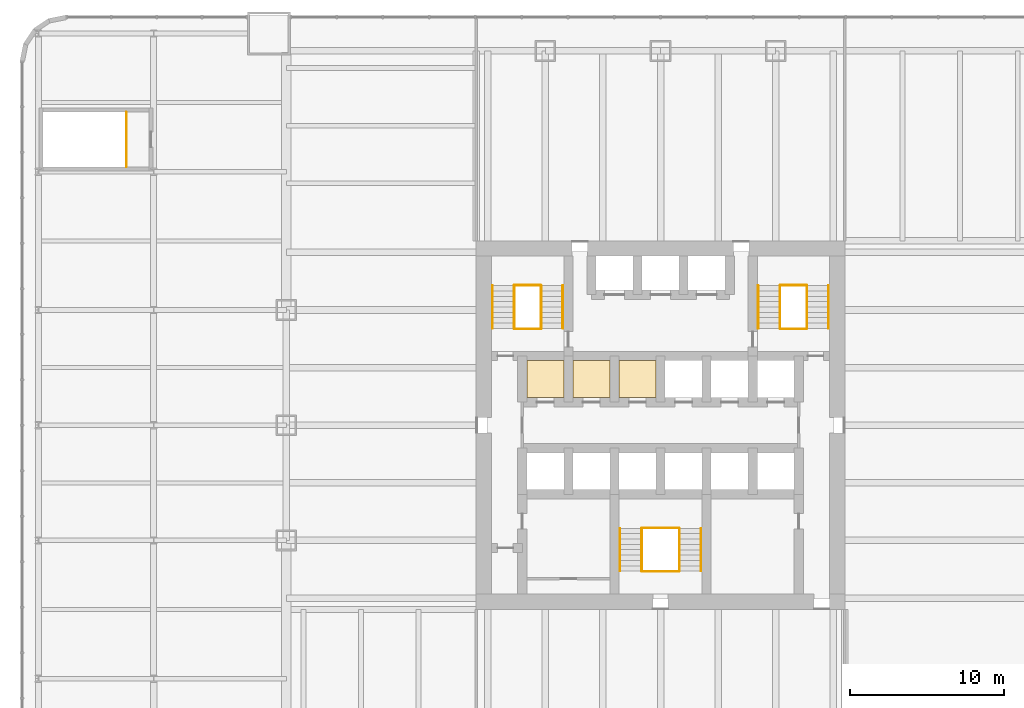
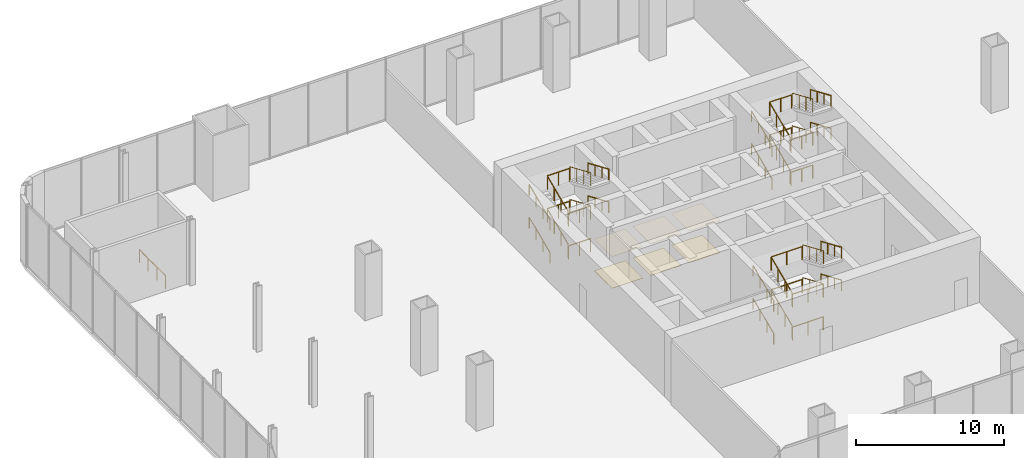
# One storey, part 16 of 17: 37 railings, 6 coverings.
"""IFC4 building model written with IfcOpenShell, lengths in metres."""

from ifc_helpers import new_model, si_unit, direction, frame, origin, origin_2d, place, context, subcontext, project, spatial, polyline, circle, outline, extrude, material, layer, layer_set, type_object, element, save


model = new_model("IFC4")

# Units and contexts
model_context = context("Model", 3, precision=1e-05, world=origin(), true_north=direction((0.0, 1.0)))
body_context = subcontext(model_context, "Body", "Model", "MODEL_VIEW")
ifc_project = project(units=[si_unit("LENGTHUNIT", "METRE"), si_unit("AREAUNIT", "SQUARE_METRE"), si_unit("VOLUMEUNIT", "CUBIC_METRE"), si_unit("PLANEANGLEUNIT", "RADIAN"), si_unit("MASSUNIT", "GRAM", prefix="KILO")], contexts=[model_context])

# Site, building, storey
site_placement = place(None, origin())
site = spatial("IfcSite", under=ifc_project, at=site_placement, CompositionType="ELEMENT")
building_placement = place(site_placement, origin())
building = spatial("IfcBuilding", under=site, at=building_placement, Name="Tarangal Relay Tower", CompositionType="ELEMENT")
storey_placement = place(building_placement, frame((0.0, 0.0, 18.0)))
storey = spatial("IfcBuildingStorey", under=building, at=storey_placement, Name="L03", CompositionType="ELEMENT", Elevation=18.0)

# Coverings
ifc_material_1 = material(Name="Anti-static vinyl flooring", Category="plastic")
ifc_layer_1 = layer(ifc_material_1, 0.010009765625)
ifc_layer_set_1 = layer_set([ifc_layer_1], Name="Anti-static vinyl floor")
covering_type_1 = type_object("IfcCoveringType", Name="Anti-static vinyl floor", PredefinedType="FLOORING", material=ifc_layer_set_1)
covering_1_placement = place(storey_placement, origin())
element("IfcCovering", 1, at=covering_1_placement, inside=storey, type_object=covering_type_1, Name="Floor finish FL1 L03-D1", PredefinedType="FLOORING", context=body_context, shape_type="SweptSolid", body=[
    extrude(outline(polyline([(-8.699951171875, 1.800048828125), (-6.300048828125, 1.800048828125), (-6.300048828125, 4.199951171875), (-8.699951171875, 4.199951171875), (-8.699951171875, 1.800048828125)])), origin(), (0.0, 0.0, 1.0), 0.010009765625),
])
covering_2_placement = place(storey_placement, origin())
element("IfcCovering", 2, at=covering_2_placement, inside=storey, type_object=covering_type_1, Name="Floor finish FL1 L03-D2", PredefinedType="FLOORING", context=body_context, shape_type="SweptSolid", body=[
    extrude(outline(polyline([(-5.699951171875, 1.800048828125), (-3.300048828125, 1.800048828125), (-3.300048828125, 4.199951171875), (-5.699951171875, 4.199951171875), (-5.699951171875, 1.800048828125)])), origin(), (0.0, 0.0, 1.0), 0.010009765625),
])
covering_3_placement = place(storey_placement, origin())
element("IfcCovering", 3, at=covering_3_placement, inside=storey, type_object=covering_type_1, Name="Floor finish FL1 L03-D3", PredefinedType="FLOORING", context=body_context, shape_type="SweptSolid", body=[
    extrude(outline(polyline([(-2.699951171875, 1.800048828125), (-0.300048828125, 1.800048828125), (-0.300048828125, 4.199951171875), (-2.699951171875, 4.199951171875), (-2.699951171875, 1.800048828125)])), origin(), (0.0, 0.0, 1.0), 0.010009765625),
])

# Railings
ifc_material_2 = material(Name="Steel guard, black finish", Category="steel")
railing_type_1 = type_object("IfcRailingType", Name="Stair guard 1100", PredefinedType="GUARDRAIL", material=ifc_material_2)
railing_1_placement = place(storey_placement, frame((-9.530029296875, 6.300048828125, 0.14990234375)))
element("IfcRailing", 4, at=railing_1_placement, inside=storey, type_object=railing_type_1, Name="Stair ST-A guard GR1 L03 flight 1", PredefinedType="GUARDRAIL", context=body_context, shape_type="SweptSolid", body=[
    extrude(circle(Radius=0.02392578125, at=origin_2d()), frame((0.0, 0.0, 1.076171875), z_axis=(0.0, 0.918297334747, 0.395891405561), x_axis=(-1.0, 0.0, 0.0)), (0.0, 0.0, 1.0), 3.03173828125),
    extrude(circle(Radius=0.02099609375, at=origin_2d()), origin(), (0.0, 0.0, 1.0), 1.052001953125),
    extrude(circle(Radius=0.02099609375, at=origin_2d()), frame((0.0, 0.927978515625, 0.400146484375)), (0.0, 0.0, 1.0), 1.052001953125),
    extrude(circle(Radius=0.02099609375, at=origin_2d()), frame((0.0, 1.85595703125, 0.800048828125)), (0.0, 0.0, 1.0), 1.052001953125),
    extrude(circle(Radius=0.02099609375, at=origin_2d()), frame((0.0, 2.783935546875, 1.2001953125)), (0.0, 0.0, 1.0), 1.052001953125),
])
railing_2_placement = place(storey_placement, frame((-7.77001953125, 9.083984375, 1.5)))
element("IfcRailing", 5, at=railing_2_placement, inside=storey, type_object=railing_type_1, Name="Stair ST-A guard GR1 L03 flight 2", PredefinedType="GUARDRAIL", context=body_context, shape_type="SweptSolid", body=[
    extrude(circle(Radius=0.02392578125, at=origin_2d()), frame((0.0, 0.0, 1.076171875), z_axis=(0.0, -0.918326609968, 0.395823492765), x_axis=(1.0, 0.0, 0.0)), (0.0, 0.0, 1.0), 3.031494140625),
    extrude(circle(Radius=0.02099609375, at=origin_2d()), origin(), (0.0, 0.0, 1.0), 1.052001953125),
    extrude(circle(Radius=0.02099609375, at=origin_2d()), frame((0.0, -0.927978515625, 0.39990234375)), (0.0, 0.0, 1.0), 1.052001953125),
    extrude(circle(Radius=0.02099609375, at=origin_2d()), frame((0.0, -1.85595703125, 0.800048828125)), (0.0, 0.0, 1.0), 1.052001953125),
    extrude(circle(Radius=0.02099609375, at=origin_2d()), frame((0.0, -2.783935546875, 1.199951171875)), (0.0, 0.0, 1.0), 1.052001953125),
])
railing_3_placement = place(storey_placement, frame((-9.530029296875, 6.300048828125, 2.85009765625)))
element("IfcRailing", 6, at=railing_3_placement, inside=storey, type_object=railing_type_1, Name="Stair ST-A guard GR1 L03 flight 3", PredefinedType="GUARDRAIL", context=body_context, shape_type="SweptSolid", body=[
    extrude(circle(Radius=0.02392578125, at=origin_2d()), frame((0.0, 0.0, 1.076171875), z_axis=(0.0, 0.918326609968, 0.395823492765), x_axis=(-1.0, 0.0, 0.0)), (0.0, 0.0, 1.0), 3.031494140625),
    extrude(circle(Radius=0.02099609375, at=origin_2d()), origin(), (0.0, 0.0, 1.0), 1.052001953125),
    extrude(circle(Radius=0.02099609375, at=origin_2d()), frame((0.0, 0.927978515625, 0.39990234375)), (0.0, 0.0, 1.0), 1.052001953125),
    extrude(circle(Radius=0.02099609375, at=origin_2d()), frame((0.0, 1.85595703125, 0.800048828125)), (0.0, 0.0, 1.0), 1.052001953125),
    extrude(circle(Radius=0.02099609375, at=origin_2d()), frame((0.0, 2.783935546875, 1.199951171875)), (0.0, 0.0, 1.0), 1.052001953125),
])
railing_4_placement = place(storey_placement, frame((-7.77001953125, 9.083984375, 4.199951171875)))
element("IfcRailing", 7, at=railing_4_placement, inside=storey, type_object=railing_type_1, Name="Stair ST-A guard GR1 L03 flight 4", PredefinedType="GUARDRAIL", context=body_context, shape_type="SweptSolid", body=[
    extrude(circle(Radius=0.02392578125, at=origin_2d()), frame((0.0, 0.0, 1.076171875), z_axis=(0.0, -0.918326609968, 0.395823492765), x_axis=(1.0, 0.0, 0.0)), (0.0, 0.0, 1.0), 3.031494140625),
    extrude(circle(Radius=0.02099609375, at=origin_2d()), origin(), (0.0, 0.0, 1.0), 1.052001953125),
    extrude(circle(Radius=0.02099609375, at=origin_2d()), frame((0.0, -0.927978515625, 0.39990234375)), (0.0, 0.0, 1.0), 1.052001953125),
    extrude(circle(Radius=0.02099609375, at=origin_2d()), frame((0.0, -1.85595703125, 0.800048828125)), (0.0, 0.0, 1.0), 1.052001953125),
    extrude(circle(Radius=0.02099609375, at=origin_2d()), frame((0.0, -2.783935546875, 1.199951171875)), (0.0, 0.0, 1.0), 1.052001953125),
])
for number, where, name in (
    (8, (-9.5, 6.27001953125, 0.0), "Stair ST-A landing guard GR1 L03"),
    (9, (-9.5, 9.114013671875, 1.35009765625), "Stair ST-A landing guard GR1 L03"),
    (10, (-9.5, 6.27001953125, 2.699951171875), "Stair ST-A landing guard GR1 L03"),
    (11, (-9.5, 9.114013671875, 4.050048828125), "Stair ST-A landing guard GR1 L03"),
):
    element("IfcRailing", number, at=place(storey_placement, frame(where)), inside=storey, type_object=railing_type_1, Name=name, PredefinedType="GUARDRAIL", context=body_context, shape_type="SweptSolid", body=[
        extrude(circle(Radius=0.02392578125, at=origin_2d()), frame((0.0, 0.0, 1.076171875), z_axis=(1.0, 0.0, 0.0), x_axis=(0.0, 1.0, 0.0)), (0.0, 0.0, 1.0), 1.699951171875),
        extrude(circle(Radius=0.02099609375, at=origin_2d()), origin(), (0.0, 0.0, 1.0), 1.052001953125),
        extrude(circle(Radius=0.02099609375, at=origin_2d()), frame((0.85009765625, 0.0, 0.0)), (0.0, 0.0, 1.0), 1.052001953125),
        extrude(circle(Radius=0.02099609375, at=origin_2d()), frame((1.699951171875, 0.0, 0.0)), (0.0, 0.0, 1.0), 1.052001953125),
    ])
railing_5_placement = place(storey_placement, frame((7.77001953125, 6.300048828125, 0.14990234375)))
element("IfcRailing", 12, at=railing_5_placement, inside=storey, type_object=railing_type_1, Name="Stair ST-B guard GR1 L03 flight 1", PredefinedType="GUARDRAIL", context=body_context, shape_type="SweptSolid", body=[
    extrude(circle(Radius=0.02392578125, at=origin_2d()), frame((0.0, 0.0, 1.076171875), z_axis=(0.0, 0.918297334747, 0.395891405561), x_axis=(-1.0, 0.0, 0.0)), (0.0, 0.0, 1.0), 3.03173828125),
    extrude(circle(Radius=0.02099609375, at=origin_2d()), origin(), (0.0, 0.0, 1.0), 1.052001953125),
    extrude(circle(Radius=0.02099609375, at=origin_2d()), frame((0.0, 0.927978515625, 0.400146484375)), (0.0, 0.0, 1.0), 1.052001953125),
    extrude(circle(Radius=0.02099609375, at=origin_2d()), frame((0.0, 1.85595703125, 0.800048828125)), (0.0, 0.0, 1.0), 1.052001953125),
    extrude(circle(Radius=0.02099609375, at=origin_2d()), frame((0.0, 2.783935546875, 1.2001953125)), (0.0, 0.0, 1.0), 1.052001953125),
])
railing_6_placement = place(storey_placement, frame((9.530029296875, 9.083984375, 1.5)))
element("IfcRailing", 13, at=railing_6_placement, inside=storey, type_object=railing_type_1, Name="Stair ST-B guard GR1 L03 flight 2", PredefinedType="GUARDRAIL", context=body_context, shape_type="SweptSolid", body=[
    extrude(circle(Radius=0.02392578125, at=origin_2d()), frame((0.0, 0.0, 1.076171875), z_axis=(0.0, -0.918326609968, 0.395823492765), x_axis=(1.0, 0.0, 0.0)), (0.0, 0.0, 1.0), 3.031494140625),
    extrude(circle(Radius=0.02099609375, at=origin_2d()), origin(), (0.0, 0.0, 1.0), 1.052001953125),
    extrude(circle(Radius=0.02099609375, at=origin_2d()), frame((0.0, -0.927978515625, 0.39990234375)), (0.0, 0.0, 1.0), 1.052001953125),
    extrude(circle(Radius=0.02099609375, at=origin_2d()), frame((0.0, -1.85595703125, 0.800048828125)), (0.0, 0.0, 1.0), 1.052001953125),
    extrude(circle(Radius=0.02099609375, at=origin_2d()), frame((0.0, -2.783935546875, 1.199951171875)), (0.0, 0.0, 1.0), 1.052001953125),
])
railing_7_placement = place(storey_placement, frame((7.77001953125, 6.300048828125, 2.85009765625)))
element("IfcRailing", 14, at=railing_7_placement, inside=storey, type_object=railing_type_1, Name="Stair ST-B guard GR1 L03 flight 3", PredefinedType="GUARDRAIL", context=body_context, shape_type="SweptSolid", body=[
    extrude(circle(Radius=0.02392578125, at=origin_2d()), frame((0.0, 0.0, 1.076171875), z_axis=(0.0, 0.918326609968, 0.395823492765), x_axis=(-1.0, 0.0, 0.0)), (0.0, 0.0, 1.0), 3.031494140625),
    extrude(circle(Radius=0.02099609375, at=origin_2d()), origin(), (0.0, 0.0, 1.0), 1.052001953125),
    extrude(circle(Radius=0.02099609375, at=origin_2d()), frame((0.0, 0.927978515625, 0.39990234375)), (0.0, 0.0, 1.0), 1.052001953125),
    extrude(circle(Radius=0.02099609375, at=origin_2d()), frame((0.0, 1.85595703125, 0.800048828125)), (0.0, 0.0, 1.0), 1.052001953125),
    extrude(circle(Radius=0.02099609375, at=origin_2d()), frame((0.0, 2.783935546875, 1.199951171875)), (0.0, 0.0, 1.0), 1.052001953125),
])
railing_8_placement = place(storey_placement, frame((9.530029296875, 9.083984375, 4.199951171875)))
element("IfcRailing", 15, at=railing_8_placement, inside=storey, type_object=railing_type_1, Name="Stair ST-B guard GR1 L03 flight 4", PredefinedType="GUARDRAIL", context=body_context, shape_type="SweptSolid", body=[
    extrude(circle(Radius=0.02392578125, at=origin_2d()), frame((0.0, 0.0, 1.076171875), z_axis=(0.0, -0.918326609968, 0.395823492765), x_axis=(1.0, 0.0, 0.0)), (0.0, 0.0, 1.0), 3.031494140625),
    extrude(circle(Radius=0.02099609375, at=origin_2d()), origin(), (0.0, 0.0, 1.0), 1.052001953125),
    extrude(circle(Radius=0.02099609375, at=origin_2d()), frame((0.0, -0.927978515625, 0.39990234375)), (0.0, 0.0, 1.0), 1.052001953125),
    extrude(circle(Radius=0.02099609375, at=origin_2d()), frame((0.0, -1.85595703125, 0.800048828125)), (0.0, 0.0, 1.0), 1.052001953125),
    extrude(circle(Radius=0.02099609375, at=origin_2d()), frame((0.0, -2.783935546875, 1.199951171875)), (0.0, 0.0, 1.0), 1.052001953125),
])
for number, where, name in (
    (16, (7.800048828125, 6.27001953125, 0.0), "Stair ST-B landing guard GR1 L03"),
    (17, (7.800048828125, 9.114013671875, 1.35009765625), "Stair ST-B landing guard GR1 L03"),
    (18, (7.800048828125, 6.27001953125, 2.699951171875), "Stair ST-B landing guard GR1 L03"),
    (19, (7.800048828125, 9.114013671875, 4.050048828125), "Stair ST-B landing guard GR1 L03"),
):
    element("IfcRailing", number, at=place(storey_placement, frame(where)), inside=storey, type_object=railing_type_1, Name=name, PredefinedType="GUARDRAIL", context=body_context, shape_type="SweptSolid", body=[
        extrude(circle(Radius=0.02392578125, at=origin_2d()), frame((0.0, 0.0, 1.076171875), z_axis=(1.0, 0.0, 0.0), x_axis=(0.0, 1.0, 0.0)), (0.0, 0.0, 1.0), 1.699951171875),
        extrude(circle(Radius=0.02099609375, at=origin_2d()), origin(), (0.0, 0.0, 1.0), 1.052001953125),
        extrude(circle(Radius=0.02099609375, at=origin_2d()), frame((0.85009765625, 0.0, 0.0)), (0.0, 0.0, 1.0), 1.052001953125),
        extrude(circle(Radius=0.02099609375, at=origin_2d()), frame((1.699951171875, 0.0, 0.0)), (0.0, 0.0, 1.0), 1.052001953125),
    ])
railing_9_placement = place(storey_placement, frame((-1.22998046875, -9.5, 0.14990234375)))
element("IfcRailing", 20, at=railing_9_placement, inside=storey, type_object=railing_type_1, Name="Stair ST-C guard GR1 L03 flight 1", PredefinedType="GUARDRAIL", context=body_context, shape_type="SweptSolid", body=[
    extrude(circle(Radius=0.02392578125, at=origin_2d()), frame((0.0, 0.0, 1.076171875), z_axis=(0.0, 0.918297334747, 0.395891405561), x_axis=(-1.0, 0.0, 0.0)), (0.0, 0.0, 1.0), 3.03173828125),
    extrude(circle(Radius=0.02099609375, at=origin_2d()), origin(), (0.0, 0.0, 1.0), 1.052001953125),
    extrude(circle(Radius=0.02099609375, at=origin_2d()), frame((0.0, 0.927978515625, 0.400146484375)), (0.0, 0.0, 1.0), 1.052001953125),
    extrude(circle(Radius=0.02099609375, at=origin_2d()), frame((0.0, 1.85595703125, 0.800048828125)), (0.0, 0.0, 1.0), 1.052001953125),
    extrude(circle(Radius=0.02099609375, at=origin_2d()), frame((0.0, 2.783935546875, 1.2001953125)), (0.0, 0.0, 1.0), 1.052001953125),
])
railing_10_placement = place(storey_placement, frame((1.22998046875, -6.716064453125, 1.5)))
element("IfcRailing", 21, at=railing_10_placement, inside=storey, type_object=railing_type_1, Name="Stair ST-C guard GR1 L03 flight 2", PredefinedType="GUARDRAIL", context=body_context, shape_type="SweptSolid", body=[
    extrude(circle(Radius=0.02392578125, at=origin_2d()), frame((0.0, 0.0, 1.076171875), z_axis=(0.0, -0.918326609968, 0.395823492765), x_axis=(1.0, 0.0, 0.0)), (0.0, 0.0, 1.0), 3.031494140625),
    extrude(circle(Radius=0.02099609375, at=origin_2d()), origin(), (0.0, 0.0, 1.0), 1.052001953125),
    extrude(circle(Radius=0.02099609375, at=origin_2d()), frame((0.0, -0.927978515625, 0.39990234375)), (0.0, 0.0, 1.0), 1.052001953125),
    extrude(circle(Radius=0.02099609375, at=origin_2d()), frame((0.0, -1.85595703125, 0.800048828125)), (0.0, 0.0, 1.0), 1.052001953125),
    extrude(circle(Radius=0.02099609375, at=origin_2d()), frame((0.0, -2.783935546875, 1.199951171875)), (0.0, 0.0, 1.0), 1.052001953125),
])
railing_11_placement = place(storey_placement, frame((-1.22998046875, -9.5, 2.85009765625)))
element("IfcRailing", 22, at=railing_11_placement, inside=storey, type_object=railing_type_1, Name="Stair ST-C guard GR1 L03 flight 3", PredefinedType="GUARDRAIL", context=body_context, shape_type="SweptSolid", body=[
    extrude(circle(Radius=0.02392578125, at=origin_2d()), frame((0.0, 0.0, 1.076171875), z_axis=(0.0, 0.918326609968, 0.395823492765), x_axis=(-1.0, 0.0, 0.0)), (0.0, 0.0, 1.0), 3.031494140625),
    extrude(circle(Radius=0.02099609375, at=origin_2d()), origin(), (0.0, 0.0, 1.0), 1.052001953125),
    extrude(circle(Radius=0.02099609375, at=origin_2d()), frame((0.0, 0.927978515625, 0.39990234375)), (0.0, 0.0, 1.0), 1.052001953125),
    extrude(circle(Radius=0.02099609375, at=origin_2d()), frame((0.0, 1.85595703125, 0.800048828125)), (0.0, 0.0, 1.0), 1.052001953125),
    extrude(circle(Radius=0.02099609375, at=origin_2d()), frame((0.0, 2.783935546875, 1.199951171875)), (0.0, 0.0, 1.0), 1.052001953125),
])
railing_12_placement = place(storey_placement, frame((1.22998046875, -6.716064453125, 4.199951171875)))
element("IfcRailing", 23, at=railing_12_placement, inside=storey, type_object=railing_type_1, Name="Stair ST-C guard GR1 L03 flight 4", PredefinedType="GUARDRAIL", context=body_context, shape_type="SweptSolid", body=[
    extrude(circle(Radius=0.02392578125, at=origin_2d()), frame((0.0, 0.0, 1.076171875), z_axis=(0.0, -0.918326609968, 0.395823492765), x_axis=(1.0, 0.0, 0.0)), (0.0, 0.0, 1.0), 3.031494140625),
    extrude(circle(Radius=0.02099609375, at=origin_2d()), origin(), (0.0, 0.0, 1.0), 1.052001953125),
    extrude(circle(Radius=0.02099609375, at=origin_2d()), frame((0.0, -0.927978515625, 0.39990234375)), (0.0, 0.0, 1.0), 1.052001953125),
    extrude(circle(Radius=0.02099609375, at=origin_2d()), frame((0.0, -1.85595703125, 0.800048828125)), (0.0, 0.0, 1.0), 1.052001953125),
    extrude(circle(Radius=0.02099609375, at=origin_2d()), frame((0.0, -2.783935546875, 1.199951171875)), (0.0, 0.0, 1.0), 1.052001953125),
])
for number, where, name in (
    (24, (-1.199951171875, -9.530029296875, 0.0), "Stair ST-C landing guard GR1 L03"),
    (25, (-1.199951171875, -6.68603515625, 1.35009765625), "Stair ST-C landing guard GR1 L03"),
    (26, (-1.199951171875, -9.530029296875, 2.699951171875), "Stair ST-C landing guard GR1 L03"),
    (27, (-1.199951171875, -6.68603515625, 4.050048828125), "Stair ST-C landing guard GR1 L03"),
):
    element("IfcRailing", number, at=place(storey_placement, frame(where)), inside=storey, type_object=railing_type_1, Name=name, PredefinedType="GUARDRAIL", context=body_context, shape_type="SweptSolid", body=[
        extrude(circle(Radius=0.02392578125, at=origin_2d()), frame((0.0, 0.0, 1.076171875), z_axis=(1.0, 0.0, 0.0), x_axis=(0.0, 1.0, 0.0)), (0.0, 0.0, 1.0), 2.39990234375),
        extrude(circle(Radius=0.02099609375, at=origin_2d()), origin(), (0.0, 0.0, 1.0), 1.052001953125),
        extrude(circle(Radius=0.02099609375, at=origin_2d()), frame((1.199951171875, 0.0, 0.0)), (0.0, 0.0, 1.0), 1.052001953125),
        extrude(circle(Radius=0.02099609375, at=origin_2d()), frame((2.39990234375, 0.0, 0.0)), (0.0, 0.0, 1.0), 1.052001953125),
    ])
railing_13_placement = place(storey_placement, frame((-34.77001953125, 16.830078125, 0.0)))
element("IfcRailing", 28, at=railing_13_placement, inside=storey, type_object=railing_type_1, Name="Stair ST-D top guard GR1 L03", PredefinedType="GUARDRAIL", context=body_context, shape_type="SweptSolid", body=[
    extrude(circle(Radius=0.02392578125, at=origin_2d()), frame((0.0, 0.0, 1.076171875), z_axis=(0.0, 1.0, 0.0), x_axis=(-1.0, 0.0, 0.0)), (0.0, 0.0, 1.0), 3.5400390625),
    extrude(circle(Radius=0.02099609375, at=origin_2d()), origin(), (0.0, 0.0, 1.0), 1.052001953125),
    extrude(circle(Radius=0.02099609375, at=origin_2d()), frame((0.0, 1.179931640625, 0.0)), (0.0, 0.0, 1.0), 1.052001953125),
    extrude(circle(Radius=0.02099609375, at=origin_2d()), frame((0.0, 2.360107421875, 0.0)), (0.0, 0.0, 1.0), 1.052001953125),
    extrude(circle(Radius=0.02099609375, at=origin_2d()), frame((0.0, 3.5400390625, 0.0)), (0.0, 0.0, 1.0), 1.052001953125),
])
ifc_material_3 = material(Name="Steel handrail, black finish", Category="steel")
railing_type_2 = type_object("IfcRailingType", Name="Stair handrail 900", PredefinedType="HANDRAIL", material=ifc_material_3)
railing_14_placement = place(storey_placement, frame((-10.93994140625, 6.300048828125, 0.14990234375)))
element("IfcRailing", 29, at=railing_14_placement, inside=storey, type_object=railing_type_2, Name="Stair ST-A handrail HR1 L03 flight 1", PredefinedType="HANDRAIL", context=body_context, shape_type="SweptSolid", body=[
    extrude(circle(Radius=0.02392578125, at=origin_2d()), frame((0.0, 0.0, 0.8759765625), z_axis=(0.0, 0.918297334747, 0.395891405561), x_axis=(-1.0, 0.0, 0.0)), (0.0, 0.0, 1.0), 3.03173828125),
    extrude(circle(Radius=0.02099609375, at=origin_2d()), origin(), (0.0, 0.0, 1.0), 0.851806640625),
    extrude(circle(Radius=0.02099609375, at=origin_2d()), frame((0.0, 0.927978515625, 0.400146484375)), (0.0, 0.0, 1.0), 0.851806640625),
    extrude(circle(Radius=0.02099609375, at=origin_2d()), frame((0.0, 1.85595703125, 0.800048828125)), (0.0, 0.0, 1.0), 0.851806640625),
    extrude(circle(Radius=0.02099609375, at=origin_2d()), frame((0.0, 2.783935546875, 1.2001953125)), (0.0, 0.0, 1.0), 0.851806640625),
])
railing_15_placement = place(storey_placement, frame((-6.360107421875, 9.083984375, 1.5)))
element("IfcRailing", 30, at=railing_15_placement, inside=storey, type_object=railing_type_2, Name="Stair ST-A handrail HR1 L03 flight 2", PredefinedType="HANDRAIL", context=body_context, shape_type="SweptSolid", body=[
    extrude(circle(Radius=0.02392578125, at=origin_2d()), frame((0.0, 0.0, 0.8759765625), z_axis=(0.0, -0.918326609968, 0.395823492765), x_axis=(1.0, 0.0, 0.0)), (0.0, 0.0, 1.0), 3.031494140625),
    extrude(circle(Radius=0.02099609375, at=origin_2d()), origin(), (0.0, 0.0, 1.0), 0.851806640625),
    extrude(circle(Radius=0.02099609375, at=origin_2d()), frame((0.0, -0.927978515625, 0.39990234375)), (0.0, 0.0, 1.0), 0.851806640625),
    extrude(circle(Radius=0.02099609375, at=origin_2d()), frame((0.0, -1.85595703125, 0.800048828125)), (0.0, 0.0, 1.0), 0.851806640625),
    extrude(circle(Radius=0.02099609375, at=origin_2d()), frame((0.0, -2.783935546875, 1.199951171875)), (0.0, 0.0, 1.0), 0.851806640625),
])
railing_16_placement = place(storey_placement, frame((-10.93994140625, 6.300048828125, 2.85009765625)))
element("IfcRailing", 31, at=railing_16_placement, inside=storey, type_object=railing_type_2, Name="Stair ST-A handrail HR1 L03 flight 3", PredefinedType="HANDRAIL", context=body_context, shape_type="SweptSolid", body=[
    extrude(circle(Radius=0.02392578125, at=origin_2d()), frame((0.0, 0.0, 0.8759765625), z_axis=(0.0, 0.918326609968, 0.395823492765), x_axis=(-1.0, 0.0, 0.0)), (0.0, 0.0, 1.0), 3.031494140625),
    extrude(circle(Radius=0.02099609375, at=origin_2d()), origin(), (0.0, 0.0, 1.0), 0.851806640625),
    extrude(circle(Radius=0.02099609375, at=origin_2d()), frame((0.0, 0.927978515625, 0.39990234375)), (0.0, 0.0, 1.0), 0.851806640625),
    extrude(circle(Radius=0.02099609375, at=origin_2d()), frame((0.0, 1.85595703125, 0.800048828125)), (0.0, 0.0, 1.0), 0.851806640625),
    extrude(circle(Radius=0.02099609375, at=origin_2d()), frame((0.0, 2.783935546875, 1.199951171875)), (0.0, 0.0, 1.0), 0.851806640625),
])
railing_17_placement = place(storey_placement, frame((-6.360107421875, 9.083984375, 4.199951171875)))
element("IfcRailing", 32, at=railing_17_placement, inside=storey, type_object=railing_type_2, Name="Stair ST-A handrail HR1 L03 flight 4", PredefinedType="HANDRAIL", context=body_context, shape_type="SweptSolid", body=[
    extrude(circle(Radius=0.02392578125, at=origin_2d()), frame((0.0, 0.0, 0.8759765625), z_axis=(0.0, -0.918326609968, 0.395823492765), x_axis=(1.0, 0.0, 0.0)), (0.0, 0.0, 1.0), 3.031494140625),
    extrude(circle(Radius=0.02099609375, at=origin_2d()), origin(), (0.0, 0.0, 1.0), 0.851806640625),
    extrude(circle(Radius=0.02099609375, at=origin_2d()), frame((0.0, -0.927978515625, 0.39990234375)), (0.0, 0.0, 1.0), 0.851806640625),
    extrude(circle(Radius=0.02099609375, at=origin_2d()), frame((0.0, -1.85595703125, 0.800048828125)), (0.0, 0.0, 1.0), 0.851806640625),
    extrude(circle(Radius=0.02099609375, at=origin_2d()), frame((0.0, -2.783935546875, 1.199951171875)), (0.0, 0.0, 1.0), 0.851806640625),
])
railing_18_placement = place(storey_placement, frame((6.360107421875, 6.300048828125, 0.14990234375)))
element("IfcRailing", 33, at=railing_18_placement, inside=storey, type_object=railing_type_2, Name="Stair ST-B handrail HR1 L03 flight 1", PredefinedType="HANDRAIL", context=body_context, shape_type="SweptSolid", body=[
    extrude(circle(Radius=0.02392578125, at=origin_2d()), frame((0.0, 0.0, 0.8759765625), z_axis=(0.0, 0.918297334747, 0.395891405561), x_axis=(-1.0, 0.0, 0.0)), (0.0, 0.0, 1.0), 3.03173828125),
    extrude(circle(Radius=0.02099609375, at=origin_2d()), origin(), (0.0, 0.0, 1.0), 0.851806640625),
    extrude(circle(Radius=0.02099609375, at=origin_2d()), frame((0.0, 0.927978515625, 0.400146484375)), (0.0, 0.0, 1.0), 0.851806640625),
    extrude(circle(Radius=0.02099609375, at=origin_2d()), frame((0.0, 1.85595703125, 0.800048828125)), (0.0, 0.0, 1.0), 0.851806640625),
    extrude(circle(Radius=0.02099609375, at=origin_2d()), frame((0.0, 2.783935546875, 1.2001953125)), (0.0, 0.0, 1.0), 0.851806640625),
])
railing_19_placement = place(storey_placement, frame((10.93994140625, 9.083984375, 1.5)))
element("IfcRailing", 34, at=railing_19_placement, inside=storey, type_object=railing_type_2, Name="Stair ST-B handrail HR1 L03 flight 2", PredefinedType="HANDRAIL", context=body_context, shape_type="SweptSolid", body=[
    extrude(circle(Radius=0.02392578125, at=origin_2d()), frame((0.0, 0.0, 0.8759765625), z_axis=(0.0, -0.918326609968, 0.395823492765), x_axis=(1.0, 0.0, 0.0)), (0.0, 0.0, 1.0), 3.031494140625),
    extrude(circle(Radius=0.02099609375, at=origin_2d()), origin(), (0.0, 0.0, 1.0), 0.851806640625),
    extrude(circle(Radius=0.02099609375, at=origin_2d()), frame((0.0, -0.927978515625, 0.39990234375)), (0.0, 0.0, 1.0), 0.851806640625),
    extrude(circle(Radius=0.02099609375, at=origin_2d()), frame((0.0, -1.85595703125, 0.800048828125)), (0.0, 0.0, 1.0), 0.851806640625),
    extrude(circle(Radius=0.02099609375, at=origin_2d()), frame((0.0, -2.783935546875, 1.199951171875)), (0.0, 0.0, 1.0), 0.851806640625),
])
railing_20_placement = place(storey_placement, frame((6.360107421875, 6.300048828125, 2.85009765625)))
element("IfcRailing", 35, at=railing_20_placement, inside=storey, type_object=railing_type_2, Name="Stair ST-B handrail HR1 L03 flight 3", PredefinedType="HANDRAIL", context=body_context, shape_type="SweptSolid", body=[
    extrude(circle(Radius=0.02392578125, at=origin_2d()), frame((0.0, 0.0, 0.8759765625), z_axis=(0.0, 0.918326609968, 0.395823492765), x_axis=(-1.0, 0.0, 0.0)), (0.0, 0.0, 1.0), 3.031494140625),
    extrude(circle(Radius=0.02099609375, at=origin_2d()), origin(), (0.0, 0.0, 1.0), 0.851806640625),
    extrude(circle(Radius=0.02099609375, at=origin_2d()), frame((0.0, 0.927978515625, 0.39990234375)), (0.0, 0.0, 1.0), 0.851806640625),
    extrude(circle(Radius=0.02099609375, at=origin_2d()), frame((0.0, 1.85595703125, 0.800048828125)), (0.0, 0.0, 1.0), 0.851806640625),
    extrude(circle(Radius=0.02099609375, at=origin_2d()), frame((0.0, 2.783935546875, 1.199951171875)), (0.0, 0.0, 1.0), 0.851806640625),
])
railing_21_placement = place(storey_placement, frame((10.93994140625, 9.083984375, 4.199951171875)))
element("IfcRailing", 36, at=railing_21_placement, inside=storey, type_object=railing_type_2, Name="Stair ST-B handrail HR1 L03 flight 4", PredefinedType="HANDRAIL", context=body_context, shape_type="SweptSolid", body=[
    extrude(circle(Radius=0.02392578125, at=origin_2d()), frame((0.0, 0.0, 0.8759765625), z_axis=(0.0, -0.918326609968, 0.395823492765), x_axis=(1.0, 0.0, 0.0)), (0.0, 0.0, 1.0), 3.031494140625),
    extrude(circle(Radius=0.02099609375, at=origin_2d()), origin(), (0.0, 0.0, 1.0), 0.851806640625),
    extrude(circle(Radius=0.02099609375, at=origin_2d()), frame((0.0, -0.927978515625, 0.39990234375)), (0.0, 0.0, 1.0), 0.851806640625),
    extrude(circle(Radius=0.02099609375, at=origin_2d()), frame((0.0, -1.85595703125, 0.800048828125)), (0.0, 0.0, 1.0), 0.851806640625),
    extrude(circle(Radius=0.02099609375, at=origin_2d()), frame((0.0, -2.783935546875, 1.199951171875)), (0.0, 0.0, 1.0), 0.851806640625),
])
railing_22_placement = place(storey_placement, frame((-2.639892578125, -9.5, 0.14990234375)))
element("IfcRailing", 37, at=railing_22_placement, inside=storey, type_object=railing_type_2, Name="Stair ST-C handrail HR1 L03 flight 1", PredefinedType="HANDRAIL", context=body_context, shape_type="SweptSolid", body=[
    extrude(circle(Radius=0.02392578125, at=origin_2d()), frame((0.0, 0.0, 0.8759765625), z_axis=(0.0, 0.918297334747, 0.395891405561), x_axis=(-1.0, 0.0, 0.0)), (0.0, 0.0, 1.0), 3.03173828125),
    extrude(circle(Radius=0.02099609375, at=origin_2d()), origin(), (0.0, 0.0, 1.0), 0.851806640625),
    extrude(circle(Radius=0.02099609375, at=origin_2d()), frame((0.0, 0.927978515625, 0.400146484375)), (0.0, 0.0, 1.0), 0.851806640625),
    extrude(circle(Radius=0.02099609375, at=origin_2d()), frame((0.0, 1.85595703125, 0.800048828125)), (0.0, 0.0, 1.0), 0.851806640625),
    extrude(circle(Radius=0.02099609375, at=origin_2d()), frame((0.0, 2.783935546875, 1.2001953125)), (0.0, 0.0, 1.0), 0.851806640625),
])
railing_23_placement = place(storey_placement, frame((2.639892578125, -6.716064453125, 1.5)))
element("IfcRailing", 38, at=railing_23_placement, inside=storey, type_object=railing_type_2, Name="Stair ST-C handrail HR1 L03 flight 2", PredefinedType="HANDRAIL", context=body_context, shape_type="SweptSolid", body=[
    extrude(circle(Radius=0.02392578125, at=origin_2d()), frame((0.0, 0.0, 0.8759765625), z_axis=(0.0, -0.918326609968, 0.395823492765), x_axis=(1.0, 0.0, 0.0)), (0.0, 0.0, 1.0), 3.031494140625),
    extrude(circle(Radius=0.02099609375, at=origin_2d()), origin(), (0.0, 0.0, 1.0), 0.851806640625),
    extrude(circle(Radius=0.02099609375, at=origin_2d()), frame((0.0, -0.927978515625, 0.39990234375)), (0.0, 0.0, 1.0), 0.851806640625),
    extrude(circle(Radius=0.02099609375, at=origin_2d()), frame((0.0, -1.85595703125, 0.800048828125)), (0.0, 0.0, 1.0), 0.851806640625),
    extrude(circle(Radius=0.02099609375, at=origin_2d()), frame((0.0, -2.783935546875, 1.199951171875)), (0.0, 0.0, 1.0), 0.851806640625),
])
railing_24_placement = place(storey_placement, frame((-2.639892578125, -9.5, 2.85009765625)))
element("IfcRailing", 39, at=railing_24_placement, inside=storey, type_object=railing_type_2, Name="Stair ST-C handrail HR1 L03 flight 3", PredefinedType="HANDRAIL", context=body_context, shape_type="SweptSolid", body=[
    extrude(circle(Radius=0.02392578125, at=origin_2d()), frame((0.0, 0.0, 0.8759765625), z_axis=(0.0, 0.918326609968, 0.395823492765), x_axis=(-1.0, 0.0, 0.0)), (0.0, 0.0, 1.0), 3.031494140625),
    extrude(circle(Radius=0.02099609375, at=origin_2d()), origin(), (0.0, 0.0, 1.0), 0.851806640625),
    extrude(circle(Radius=0.02099609375, at=origin_2d()), frame((0.0, 0.927978515625, 0.39990234375)), (0.0, 0.0, 1.0), 0.851806640625),
    extrude(circle(Radius=0.02099609375, at=origin_2d()), frame((0.0, 1.85595703125, 0.800048828125)), (0.0, 0.0, 1.0), 0.851806640625),
    extrude(circle(Radius=0.02099609375, at=origin_2d()), frame((0.0, 2.783935546875, 1.199951171875)), (0.0, 0.0, 1.0), 0.851806640625),
])
railing_25_placement = place(storey_placement, frame((2.639892578125, -6.716064453125, 4.199951171875)))
element("IfcRailing", 40, at=railing_25_placement, inside=storey, type_object=railing_type_2, Name="Stair ST-C handrail HR1 L03 flight 4", PredefinedType="HANDRAIL", context=body_context, shape_type="SweptSolid", body=[
    extrude(circle(Radius=0.02392578125, at=origin_2d()), frame((0.0, 0.0, 0.8759765625), z_axis=(0.0, -0.918326609968, 0.395823492765), x_axis=(1.0, 0.0, 0.0)), (0.0, 0.0, 1.0), 3.031494140625),
    extrude(circle(Radius=0.02099609375, at=origin_2d()), origin(), (0.0, 0.0, 1.0), 0.851806640625),
    extrude(circle(Radius=0.02099609375, at=origin_2d()), frame((0.0, -0.927978515625, 0.39990234375)), (0.0, 0.0, 1.0), 0.851806640625),
    extrude(circle(Radius=0.02099609375, at=origin_2d()), frame((0.0, -1.85595703125, 0.800048828125)), (0.0, 0.0, 1.0), 0.851806640625),
    extrude(circle(Radius=0.02099609375, at=origin_2d()), frame((0.0, -2.783935546875, 1.199951171875)), (0.0, 0.0, 1.0), 0.851806640625),
])

# Coverings
ifc_material_4 = material(Name="Mineral fibre ceiling tiles", Category="gypsum")
ifc_layer_2 = layer(ifc_material_4, 0.02001953125)
ifc_layer_set_2 = layer_set([ifc_layer_2], Name="Suspended ceiling")
covering_type_2 = type_object("IfcCoveringType", Name="Suspended ceiling", PredefinedType="CEILING", material=ifc_layer_set_2)
covering_4_placement = place(storey_placement, frame((0.0, 0.0, 2.60009765625)))
element("IfcCovering", 41, at=covering_4_placement, inside=storey, type_object=covering_type_2, Name="Suspended ceiling CL1 L03-D1", PredefinedType="CEILING", context=body_context, shape_type="SweptSolid", body=[
    extrude(outline(polyline([(-8.699951171875, 1.800048828125), (-6.300048828125, 1.800048828125), (-6.300048828125, 4.199951171875), (-8.699951171875, 4.199951171875), (-8.699951171875, 1.800048828125)])), origin(), (0.0, 0.0, 1.0), 0.02001953125),
])
covering_5_placement = place(storey_placement, frame((0.0, 0.0, 2.60009765625)))
element("IfcCovering", 42, at=covering_5_placement, inside=storey, type_object=covering_type_2, Name="Suspended ceiling CL1 L03-D2", PredefinedType="CEILING", context=body_context, shape_type="SweptSolid", body=[
    extrude(outline(polyline([(-5.699951171875, 1.800048828125), (-3.300048828125, 1.800048828125), (-3.300048828125, 4.199951171875), (-5.699951171875, 4.199951171875), (-5.699951171875, 1.800048828125)])), origin(), (0.0, 0.0, 1.0), 0.02001953125),
])
covering_6_placement = place(storey_placement, frame((0.0, 0.0, 2.60009765625)))
element("IfcCovering", 43, at=covering_6_placement, inside=storey, type_object=covering_type_2, Name="Suspended ceiling CL1 L03-D3", PredefinedType="CEILING", context=body_context, shape_type="SweptSolid", body=[
    extrude(outline(polyline([(-2.699951171875, 1.800048828125), (-0.300048828125, 1.800048828125), (-0.300048828125, 4.199951171875), (-2.699951171875, 4.199951171875), (-2.699951171875, 1.800048828125)])), origin(), (0.0, 0.0, 1.0), 0.02001953125),
])

save(model, "model.ifc")
